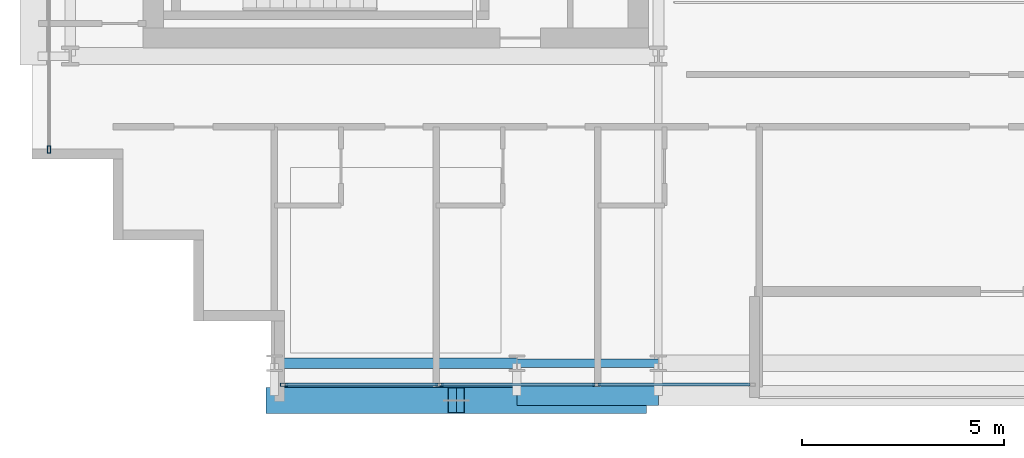
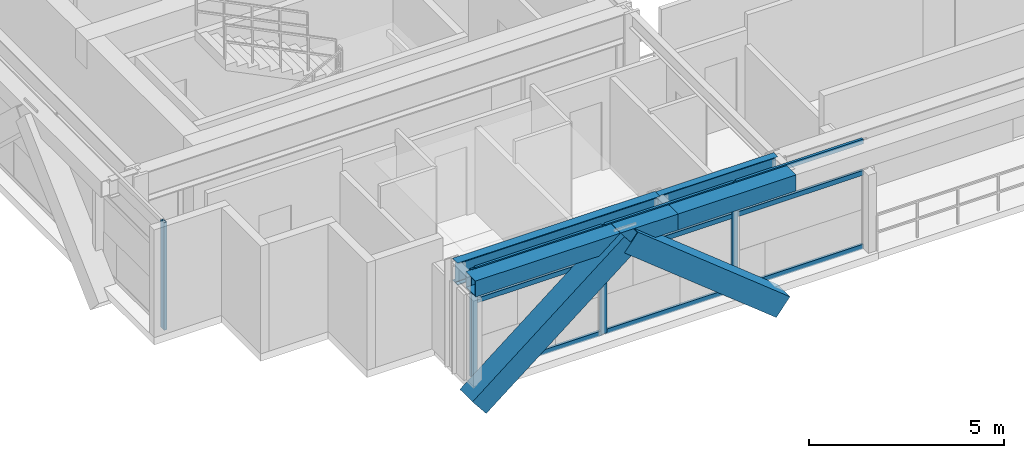
# One storey, part 2 of 32: 15 members, 4 beams, 2 elements without a shape of their own.
"""IFC4 building model written with IfcOpenShell, lengths in metres."""

from ifc_helpers import new_model, si_unit, direction, frame, origin, origin_2d, place, context, subcontext, project, spatial, hollow_rectangle, i_section, extrude, source, transform, mapped, material, layer, layer_set, material_profile, profile_set, type_object, element, aggregate, save


model = new_model("IFC4")

# Units and contexts
model_context = context("Model", 3, precision=1e-05, world=origin(), true_north=direction((0.0, 1.0)))
body_context = subcontext(model_context, "Body", "Model", "MODEL_VIEW")
ifc_project = project(units=[si_unit("LENGTHUNIT", "METRE"), si_unit("AREAUNIT", "SQUARE_METRE"), si_unit("VOLUMEUNIT", "CUBIC_METRE"), si_unit("PLANEANGLEUNIT", "RADIAN"), si_unit("MASSUNIT", "GRAM", prefix="KILO")], contexts=[model_context])

# Site, building, storey
site_placement = place(None, origin())
site = spatial("IfcSite", under=ifc_project, at=site_placement, CompositionType="ELEMENT")
building_placement = place(site_placement, origin())
building = spatial("IfcBuilding", under=site, at=building_placement, Name="Ocotamira Hotel", CompositionType="ELEMENT")
storey_placement = place(building_placement, frame((0.0, 0.0, 166.800048828125)))
storey = spatial("IfcBuildingStorey", under=building, at=storey_placement, Name="L41", CompositionType="ELEMENT", Elevation=166.800048828125)

# Beams
ifc_material_1 = material(Name="Steel ASTM A992 Grade 50", Category="steel")
ifc_material_profile_1 = material_profile(ifc_material_1, i_section(OverallWidth=0.256103515625, OverallDepth=0.693115234375, WebThickness=0.014404296875, FlangeThickness=0.023681640625, FilletRadius=0.01611328125, at=origin_2d()), Name="W27X114")
ifc_profile_set_1 = profile_set([ifc_material_profile_1], Name="Steel ASTM A992 Grade 50")
beam_type_1 = type_object("IfcBeamType", Name="BM-PRIM-W27X114", PredefinedType="BEAM", material=ifc_profile_set_1)
shared_shape_1 = source(origin(), body_context, "Body", "SweptSolid", [
    extrude(i_section(OverallWidth=0.256103515625, OverallDepth=0.693115234375, WebThickness=0.014404296875, FlangeThickness=0.023681640625, FilletRadius=0.01611328125, at=origin_2d()), origin(), (0.0, 0.0, 1.0), 6.0),
])
beam_1_placement = place(storey_placement, frame((14.0, 6.949951171875, 3.0234375), z_axis=(1.0, 0.0, 0.0), x_axis=(0.0, 1.0, 0.0)))
element("IfcBeam", 1, at=beam_1_placement, inside=storey, type_object=beam_type_1, Name="L41 Girder Y6.95 X14-20", PredefinedType="BEAM", context=body_context, shape_type="MappedRepresentation", body=[
    mapped(shared_shape_1, transform((0.0, 0.0, 0.0), scale=1.0)),
])
ifc_material_profile_2 = material_profile(ifc_material_1, i_section(OverallWidth=0.2099609375, OverallDepth=0.537109375, WebThickness=0.010986328125, FlangeThickness=0.017333984375, FilletRadius=0.012939453125, at=origin_2d()), Name="W21X68")
ifc_profile_set_2 = profile_set([ifc_material_profile_2], Name="Steel ASTM A992 Grade 50")
beam_type_2 = type_object("IfcBeamType", Name="BM-SEC-W21X68", PredefinedType="JOIST", material=ifc_profile_set_2)
shared_shape_2 = source(origin(), body_context, "Body", "SweptSolid", [
    extrude(i_section(OverallWidth=0.2099609375, OverallDepth=0.537109375, WebThickness=0.010986328125, FlangeThickness=0.017333984375, FilletRadius=0.012939453125, at=origin_2d()), origin(), (0.0, 0.0, 1.0), 3.5),
])
beam_2_placement = place(storey_placement, frame((20.0, 6.949951171875, 3.1015625), z_axis=(1.0, 0.0, 0.0), x_axis=(0.0, 1.0, 0.0)))
element("IfcBeam", 2, at=beam_2_placement, inside=storey, type_object=beam_type_2, Name="L41 Girder Y6.95 X20-23.5", PredefinedType="JOIST", context=body_context, shape_type="MappedRepresentation", body=[
    mapped(shared_shape_2, transform((0.0, 0.0, 0.0), scale=1.0)),
])
ifc_material_2 = material(Name="Steel ASTM A500 Grade C", Category="steel")
ifc_material_profile_3 = material_profile(ifc_material_2, hollow_rectangle(XDim=0.5, YDim=0.5, WallThickness=0.02001953125, at=origin_2d()), Name="HSS500X500X20")
ifc_profile_set_3 = profile_set([ifc_material_profile_3], Name="Steel ASTM A500 Grade C")
beam_type_3 = type_object("IfcBeamType", Name="BM-SPAN-HSS500", PredefinedType="USERDEFINED", material=ifc_profile_set_3)
shared_shape_3 = source(origin(), body_context, "Body", "SweptSolid", [
    extrude(hollow_rectangle(XDim=0.5, YDim=0.5, WallThickness=0.02001953125, at=origin_2d()), origin(), (0.0, 0.0, 1.0), 6.0),
])
beam_3_placement = place(storey_placement, frame((14.0, 6.14990234375, 3.119873046875), z_axis=(1.0, 0.0, 0.0), x_axis=(0.0, 1.0, 0.0)))
element("IfcBeam", 3, at=beam_3_placement, inside=storey, type_object=beam_type_3, Name="L41 Edge Spandrel S X14-20", ObjectType="SPANDREL", PredefinedType="USERDEFINED", context=body_context, shape_type="MappedRepresentation", body=[
    mapped(shared_shape_3, transform((0.0, 0.0, 0.0), scale=1.0)),
])
shared_shape_4 = source(origin(), body_context, "Body", "SweptSolid", [
    extrude(hollow_rectangle(XDim=0.5, YDim=0.5, WallThickness=0.02001953125, at=origin_2d()), origin(), (0.0, 0.0, 1.0), 3.5),
])
beam_4_placement = place(storey_placement, frame((20.0, 6.14990234375, 3.119873046875), z_axis=(1.0, 0.0, 0.0), x_axis=(0.0, 1.0, 0.0)))
element("IfcBeam", 4, at=beam_4_placement, inside=storey, type_object=beam_type_3, Name="L41 Edge Spandrel S X20-23.5", ObjectType="SPANDREL", PredefinedType="USERDEFINED", context=body_context, shape_type="MappedRepresentation", body=[
    mapped(shared_shape_4, transform((0.0, 0.0, 0.0), scale=1.0)),
])

# Members
ifc_material_3 = material(Name="Pale-metal coated steel ASTM A913 Grade 65", Category="steel")
ifc_material_profile_4 = material_profile(ifc_material_3, hollow_rectangle(XDim=0.64990234375, YDim=0.64990234375, WallThickness=0.02197265625, at=origin_2d()), Name="BOX650X650X22")
ifc_profile_set_4 = profile_set([ifc_material_profile_4], Name="Pale-metal coated steel ASTM A913 Grade 65")
member_type_1 = type_object("IfcMemberType", Name="MEM-EXO-BOX650", PredefinedType="BRACE", material=ifc_profile_set_4)
shared_shape_5 = source(origin(), body_context, "Body", "SweptSolid", [
    extrude(hollow_rectangle(XDim=0.64990234375, YDim=0.64990234375, WallThickness=0.02197265625, at=origin_2d()), origin(), (0.0, 0.0, 1.0), 5.7626953125),
])
for number, where, z_axis, x_axis, name in (
    (5, (14.0, 6.030029296875, -0.47998046875), (0.780881208953, 0.0, 0.624679547852), (0.0, 1.0, 0.0), "L41 Exoskeleton Diagrid S0.1"),
    (6, (23.0, 6.030029296875, -0.47998046875), (-0.780881208953, 0.0, 0.624679547852), (0.0, -1.0, 0.0), "L41 Exoskeleton Diagrid S0.2"),
):
    element("IfcMember", number, at=place(storey_placement, frame(where, z_axis=z_axis, x_axis=x_axis)), inside=storey, type_object=member_type_1, Name=name, PredefinedType="BRACE", context=body_context, shape_type="MappedRepresentation", body=[
        mapped(shared_shape_5, transform((0.0, 0.0, 0.0), scale=1.0)),
    ])

# Curtain wall, members
ifc_material_4 = material(Name="Anodised pale-metal aluminium and solar glass", Category="aluminium")
ifc_layer = layer(ifc_material_4, 0.199951171875)
ifc_layer_set = layer_set([ifc_layer], Name="Anodised pale-metal aluminium and solar glass")
curtain_wall_type = type_object("IfcCurtainWallType", Name="CW-SYS4-Z3", PredefinedType="NOTDEFINED", material=ifc_layer_set)
curtain_wall_1_placement = place(storey_placement, origin())
curtain_wall_1 = element("IfcCurtainWall", 7, at=curtain_wall_1_placement, inside=storey, type_object=curtain_wall_type, Name="L41 Curtain Wall CW-4 CW-L41-S1", PredefinedType="NOTDEFINED")
ifc_material_5 = material(Name="Anodised pale-metal aluminium 6063-T6", Category="aluminium")
ifc_material_profile_5 = material_profile(ifc_material_5, hollow_rectangle(XDim=0.080078125, YDim=0.179931640625, WallThickness=0.006103515625, at=origin_2d()), Name="HSS180X80X6")
ifc_profile_set_5 = profile_set([ifc_material_profile_5], Name="Anodised pale-metal aluminium 6063-T6")
member_type_2 = type_object("IfcMemberType", Name="CWM-180X75", PredefinedType="MULLION", material=ifc_profile_set_5)
shared_shape_6 = source(origin(), body_context, "Body", "SweptSolid", [
    extrude(hollow_rectangle(XDim=0.080078125, YDim=0.179931640625, WallThickness=0.006103515625, at=origin_2d()), origin(), (0.0, 0.0, 1.0), 3.369873046875),
])
member_1_placement = place(storey_placement, frame((14.239990234375, 6.419921875, 0.0), z_axis=(0.0, 0.0, 1.0), x_axis=(0.0, 1.0, 0.0)))
member_1 = element("IfcMember", 8, at=member_1_placement, type_object=member_type_2, Name="CW-4 mullion 1", PredefinedType="MULLION", context=body_context, shape_type="MappedRepresentation", body=[
    mapped(shared_shape_6, transform((0.0, 0.0, 0.0), scale=1.0)),
])
member_2_placement = place(storey_placement, frame((18.083251953125, 6.419921875, 0.0), z_axis=(0.0, 0.0, 1.0), x_axis=(0.0, 1.0, 0.0)))
member_2 = element("IfcMember", 9, at=member_2_placement, type_object=member_type_2, Name="CW-4 mullion 2", PredefinedType="MULLION", context=body_context, shape_type="MappedRepresentation", body=[
    mapped(shared_shape_6, transform((0.0, 0.0, 0.0), scale=1.0)),
])
member_3_placement = place(storey_placement, frame((21.966552734375, 6.419921875, 0.0), z_axis=(0.0, 0.0, 1.0), x_axis=(0.0, 1.0, 0.0)))
member_3 = element("IfcMember", 10, at=member_3_placement, type_object=member_type_2, Name="CW-4 mullion 3", PredefinedType="MULLION", context=body_context, shape_type="MappedRepresentation", body=[
    mapped(shared_shape_6, transform((0.0, 0.0, 0.0), scale=1.0)),
])

# Curtain wall, member
curtain_wall_2_placement = place(storey_placement, origin())
curtain_wall_2 = element("IfcCurtainWall", 11, at=curtain_wall_2_placement, inside=storey, type_object=curtain_wall_type, Name="L41 Curtain Wall CW-4 CW-L41-W", PredefinedType="NOTDEFINED")
member_4_placement = place(storey_placement, frame((8.419921875, 12.239990234375, 0.0), z_axis=(0.0, 0.0, 1.0), x_axis=(-1.0, 0.0, 0.0)))
member_4 = element("IfcMember", 12, at=member_4_placement, type_object=member_type_2, Name="CW-4 mullion 1", PredefinedType="MULLION", context=body_context, shape_type="MappedRepresentation", body=[
    mapped(shared_shape_6, transform((0.0, 0.0, 0.0), scale=1.0)),
])
aggregate(curtain_wall_2, [member_4])

# Member
ifc_material_profile_6 = material_profile(ifc_material_5, hollow_rectangle(XDim=0.074951171875, YDim=0.14990234375, WallThickness=0.006103515625, at=origin_2d()), Name="HSS150X75X6")
ifc_profile_set_6 = profile_set([ifc_material_profile_6], Name="Anodised pale-metal aluminium 6063-T6")
member_type_3 = type_object("IfcMemberType", Name="CWT-150X75", PredefinedType="USERDEFINED", material=ifc_profile_set_6)
shared_shape_7 = source(origin(), body_context, "Body", "SweptSolid", [
    extrude(hollow_rectangle(XDim=0.074951171875, YDim=0.14990234375, WallThickness=0.006103515625, at=origin_2d()), origin(), (0.0, 0.0, 1.0), 3.76318359375),
])
member_5_placement = place(storey_placement, frame((14.280029296875, 6.419921875, 0.037353515625), z_axis=(1.0, 0.0, 0.0), x_axis=(0.0, 1.0, 0.0)))
member_5 = element("IfcMember", 13, at=member_5_placement, type_object=member_type_3, Name="CW-4 transom 1.1", ObjectType="TRANSOM", PredefinedType="USERDEFINED", context=body_context, shape_type="MappedRepresentation", body=[
    mapped(shared_shape_7, transform((0.0, 0.0, 0.0), scale=1.0)),
])

member_6_placement = place(storey_placement, frame((14.280029296875, 6.419921875, 2.349853515625), z_axis=(1.0, 0.0, 0.0), x_axis=(0.0, 1.0, 0.0)))
member_6 = element("IfcMember", 14, at=member_6_placement, type_object=member_type_3, Name="CW-4 transom 1.2", ObjectType="TRANSOM", PredefinedType="USERDEFINED", context=body_context, shape_type="MappedRepresentation", body=[
    mapped(shared_shape_7, transform((0.0, 0.0, 0.0), scale=1.0)),
])

member_7_placement = place(storey_placement, frame((14.280029296875, 6.419921875, 3.33251953125), z_axis=(1.0, 0.0, 0.0), x_axis=(0.0, 1.0, 0.0)))
member_7 = element("IfcMember", 15, at=member_7_placement, type_object=member_type_3, Name="CW-4 transom 1.3", ObjectType="TRANSOM", PredefinedType="USERDEFINED", context=body_context, shape_type="MappedRepresentation", body=[
    mapped(shared_shape_7, transform((0.0, 0.0, 0.0), scale=1.0)),
])

shared_shape_8 = source(origin(), body_context, "Body", "SweptSolid", [
    extrude(hollow_rectangle(XDim=0.074951171875, YDim=0.14990234375, WallThickness=0.006103515625, at=origin_2d()), origin(), (0.0, 0.0, 1.0), 3.803466796875),
])
member_8_placement = place(storey_placement, frame((18.123291015625, 6.419921875, 0.037353515625), z_axis=(1.0, 0.0, 0.0), x_axis=(0.0, 1.0, 0.0)))
member_8 = element("IfcMember", 16, at=member_8_placement, type_object=member_type_3, Name="CW-4 transom 2.1", ObjectType="TRANSOM", PredefinedType="USERDEFINED", context=body_context, shape_type="MappedRepresentation", body=[
    mapped(shared_shape_8, transform((0.0, 0.0, 0.0), scale=1.0)),
])

member_9_placement = place(storey_placement, frame((18.123291015625, 6.419921875, 2.349853515625), z_axis=(1.0, 0.0, 0.0), x_axis=(0.0, 1.0, 0.0)))
member_9 = element("IfcMember", 17, at=member_9_placement, type_object=member_type_3, Name="CW-4 transom 2.2", ObjectType="TRANSOM", PredefinedType="USERDEFINED", context=body_context, shape_type="MappedRepresentation", body=[
    mapped(shared_shape_8, transform((0.0, 0.0, 0.0), scale=1.0)),
])

member_10_placement = place(storey_placement, frame((18.123291015625, 6.419921875, 3.33251953125), z_axis=(1.0, 0.0, 0.0), x_axis=(0.0, 1.0, 0.0)))
member_10 = element("IfcMember", 18, at=member_10_placement, type_object=member_type_3, Name="CW-4 transom 2.3", ObjectType="TRANSOM", PredefinedType="USERDEFINED", context=body_context, shape_type="MappedRepresentation", body=[
    mapped(shared_shape_8, transform((0.0, 0.0, 0.0), scale=1.0)),
])

shared_shape_9 = source(origin(), body_context, "Body", "SweptSolid", [
    extrude(hollow_rectangle(XDim=0.074951171875, YDim=0.14990234375, WallThickness=0.006103515625, at=origin_2d()), origin(), (0.0, 0.0, 1.0), 3.763427734375),
])
member_11_placement = place(storey_placement, frame((22.006591796875, 6.419921875, 0.037353515625), z_axis=(1.0, 0.0, 0.0), x_axis=(0.0, 1.0, 0.0)))
member_11 = element("IfcMember", 19, at=member_11_placement, type_object=member_type_3, Name="CW-4 transom 3.1", ObjectType="TRANSOM", PredefinedType="USERDEFINED", context=body_context, shape_type="MappedRepresentation", body=[
    mapped(shared_shape_9, transform((0.0, 0.0, 0.0), scale=1.0)),
])

member_12_placement = place(storey_placement, frame((22.006591796875, 6.419921875, 2.349853515625), z_axis=(1.0, 0.0, 0.0), x_axis=(0.0, 1.0, 0.0)))
member_12 = element("IfcMember", 20, at=member_12_placement, type_object=member_type_3, Name="CW-4 transom 3.2", ObjectType="TRANSOM", PredefinedType="USERDEFINED", context=body_context, shape_type="MappedRepresentation", body=[
    mapped(shared_shape_9, transform((0.0, 0.0, 0.0), scale=1.0)),
])

member_13_placement = place(storey_placement, frame((22.006591796875, 6.419921875, 3.33251953125), z_axis=(1.0, 0.0, 0.0), x_axis=(0.0, 1.0, 0.0)))
member_13 = element("IfcMember", 21, at=member_13_placement, type_object=member_type_3, Name="CW-4 transom 3.3", ObjectType="TRANSOM", PredefinedType="USERDEFINED", context=body_context, shape_type="MappedRepresentation", body=[
    mapped(shared_shape_9, transform((0.0, 0.0, 0.0), scale=1.0)),
])

aggregate(curtain_wall_1, [member_1, member_2, member_3, member_5, member_6, member_7, member_8, member_9, member_10, member_11, member_12, member_13])

save(model, "model.ifc")
